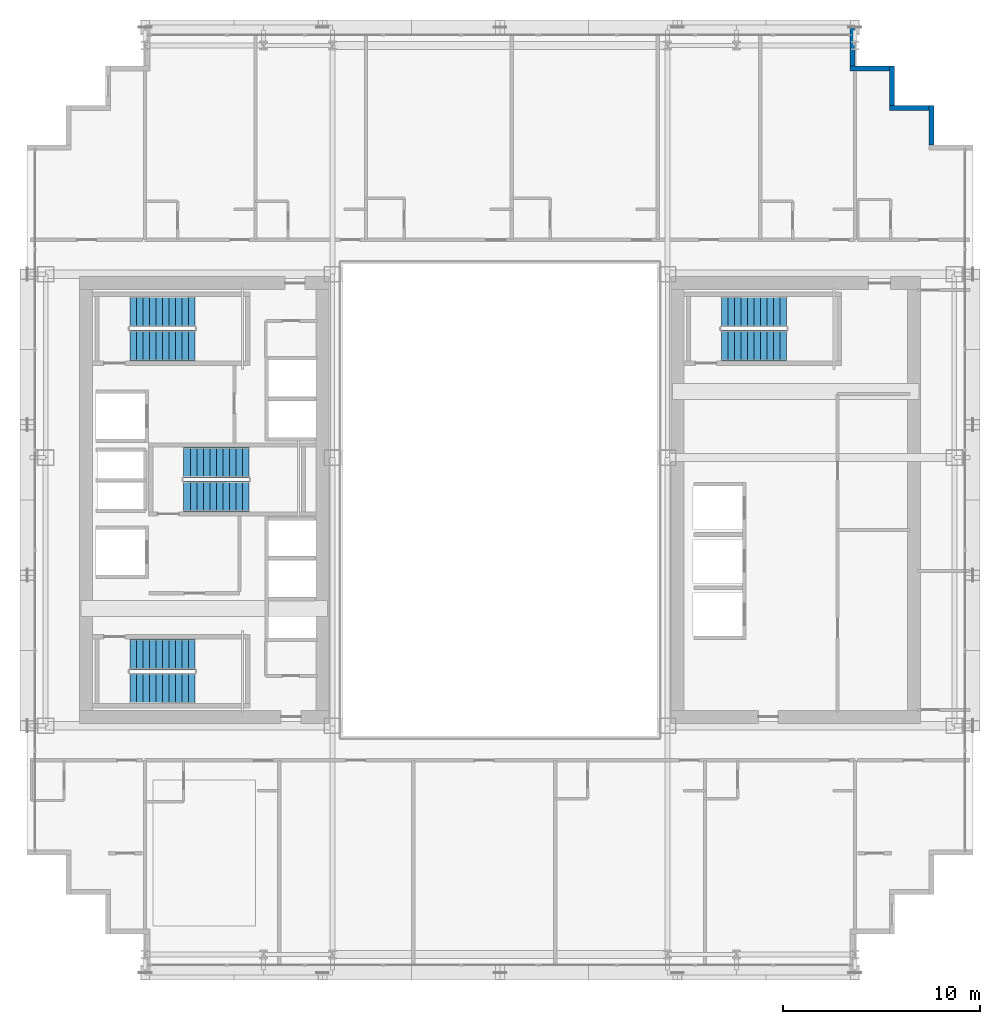
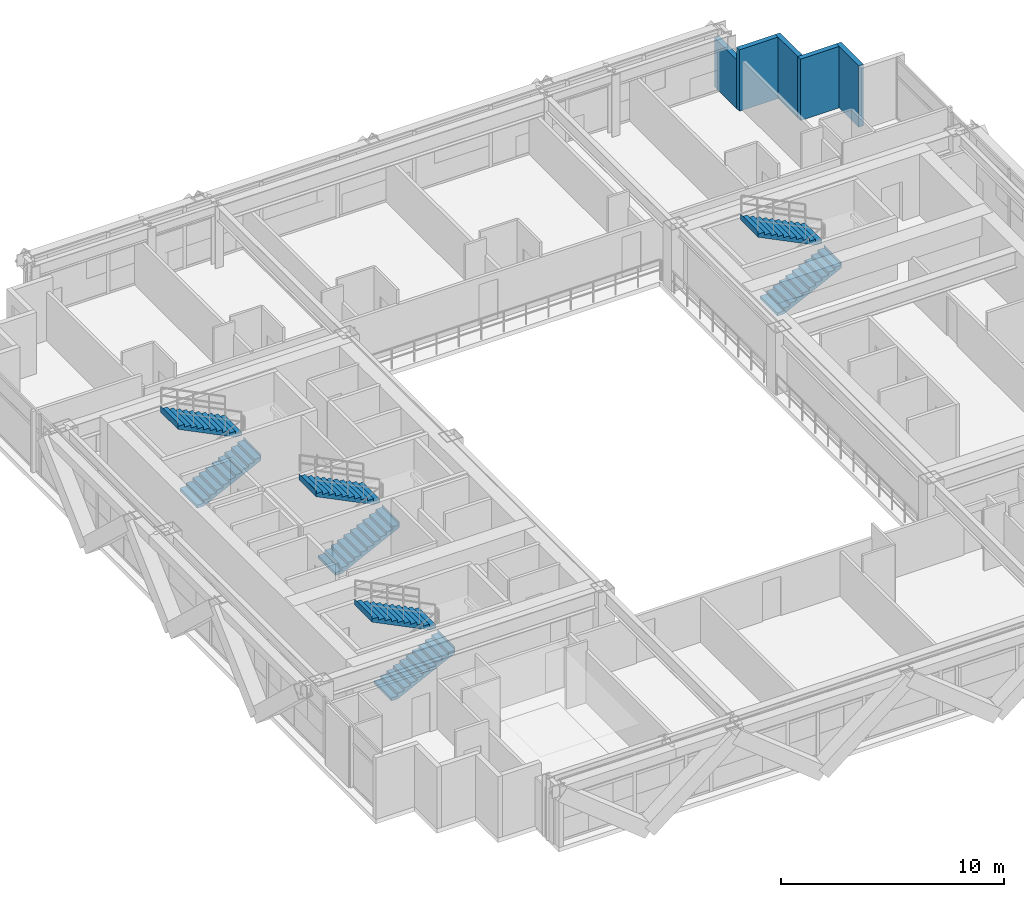
# One storey, part 31 of 35: 8 stair flights, 5 walls, 4 elements without a shape of their own.
"""IFC4 building model written with IfcOpenShell, lengths in metres."""

from ifc_helpers import new_model, si_unit, direction, frame, frame_2d, origin, place, context, subcontext, project, spatial, polyline, rectangle, outline, extrude, source, transform, mapped, material, layer, layer_set, type_object, element, aggregate, save


model = new_model("IFC4")

# Units and contexts
model_context = context("Model", 3, precision=1e-05, world=origin(), true_north=direction((0.0, 1.0)))
body_context = subcontext(model_context, "Body", "Model", "MODEL_VIEW")
ifc_project = project(units=[si_unit("LENGTHUNIT", "METRE"), si_unit("AREAUNIT", "SQUARE_METRE"), si_unit("VOLUMEUNIT", "CUBIC_METRE"), si_unit("PLANEANGLEUNIT", "RADIAN"), si_unit("MASSUNIT", "GRAM", prefix="KILO")], contexts=[model_context])

# Site, building, storey
site_placement = place(None, origin())
site = spatial("IfcSite", under=ifc_project, at=site_placement, CompositionType="ELEMENT")
building_placement = place(site_placement, origin())
building = spatial("IfcBuilding", under=site, at=building_placement, Name="Ocotamira Hotel", CompositionType="ELEMENT")
storey_placement = place(building_placement, frame((0.0, 0.0, 144.0)))
storey = spatial("IfcBuildingStorey", under=building, at=storey_placement, Name="L36", CompositionType="ELEMENT", Elevation=144.0)

# Walls
ifc_material_1 = material(Name="Precast concrete C45/55", Category="concrete")
ifc_layer = layer(ifc_material_1, 0.25)
ifc_layer_set = layer_set([ifc_layer], Name="Precast concrete C45/55")
wall_type = type_object("IfcWallType", Name="WL-EXT-SER-250", PredefinedType="SOLIDWALL", material=ifc_layer_set)
for number, where, z_axis, x_axis, name in (
    (1, (53.875, 44.0, 0.0), (0.0, 0.0, 1.0), (0.0, 1.0, 0.0), "L36 Serrated Corner Wall 08"),
    (2, (53.75, 45.875, 0.0), (0.0, 0.0, 1.0), (-1.0, 0.0, 0.0), "L36 Serrated Corner Wall 09"),
    (3, (51.875, 46.0, 0.0), (0.0, 0.0, 1.0), (0.0, 1.0, 0.0), "L36 Serrated Corner Wall 10"),
    (4, (51.75, 47.875, 0.0), (0.0, 0.0, 1.0), (-1.0, 0.0, 0.0), "L36 Serrated Corner Wall 11"),
):
    element("IfcWall", number, at=place(storey_placement, frame(where, z_axis=z_axis, x_axis=x_axis)), inside=storey, type_object=wall_type, Name=name, PredefinedType="SOLIDWALL", context=body_context, shape_type="SweptSolid", body=[
        extrude(rectangle(XDim=2.0, YDim=0.25, at=frame_2d((1.0, 0.0))), origin(), (0.0, 0.0, 1.0), 3.360107421875),
    ])
wall_placement = place(storey_placement, frame((49.875, 48.0, 0.0), z_axis=(0.0, 0.0, 1.0), x_axis=(0.0, 1.0, 0.0)))
element("IfcWall", 5, at=wall_placement, inside=storey, type_object=wall_type, Name="L36 Serrated Corner Wall 12", PredefinedType="SOLIDWALL", context=body_context, shape_type="SweptSolid", body=[
    extrude(rectangle(XDim=2.0, YDim=0.25, at=frame_2d((1.0, 0.0))), origin(), (0.0, 0.0, 1.0), 2.6669921875),
])

# Stair, stair flights
ifc_material_2 = material(Name="Concrete C40/50", Category="concrete")
stair_type = type_object("IfcStairType", Name="ST-CORE-1560", PredefinedType="HALF_TURN_STAIR", material=ifc_material_2)
stair_1_placement = place(storey_placement, origin())
stair_1 = element("IfcStair", 6, at=stair_1_placement, inside=storey, type_object=stair_type, Name="L36 Exit Stair ST-1", PredefinedType="HALF_TURN_STAIR")
stair_flight_type = type_object("IfcStairFlightType", Name="STF-CORE-1560", PredefinedType="STRAIGHT", material=ifc_material_2)
shared_shape = source(origin(), body_context, "Body", "SweptSolid", [
    extrude(outline(polyline([(-0.00390625, 0.0), (-0.00390625, 0.16357421875), (0.330078125, 0.16357421875), (0.330078125, 0.327392578125), (0.659912109375, 0.327392578125), (0.659912109375, 0.490966796875), (0.989990234375, 0.490966796875), (0.989990234375, 0.654541015625), (1.320068359375, 0.654541015625), (1.320068359375, 0.818115234375), (1.64990234375, 0.818115234375), (1.64990234375, 0.98193359375), (1.97998046875, 0.98193359375), (1.97998046875, 1.1455078125), (2.31005859375, 1.1455078125), (2.31005859375, 1.30908203125), (2.639892578125, 1.30908203125), (2.639892578125, 1.47265625), (2.969970703125, 1.47265625), (2.969970703125, 1.636474609375), (3.300048828125, 1.636474609375), (3.300048828125, 1.800048828125), (3.303955078125, 1.800048828125), (3.303955078125, 1.468994140625), (0.33740234375, 0.0), (-0.00390625, 0.0)])), frame((0.0, 0.780029296875, 0.0), z_axis=(0.0, -1.0, 0.0), x_axis=(1.0, 0.0, 0.0)), (0.0, 0.0, 1.0), 1.56005859375),
])
stair_flight_1_placement = place(storey_placement, frame((13.22998046875, 16.449951171875, 0.0), z_axis=(0.0, 0.0, 1.0), x_axis=(1.0, 0.0, 0.0)))
stair_flight_1 = element("IfcStairFlight", 7, at=stair_flight_1_placement, type_object=stair_flight_type, Name="ST-1 flight 1", NumberOfRisers=11, NumberOfTreads=10, PredefinedType="STRAIGHT", RiserHeight=0.163636364, TreadLength=0.33, context=body_context, shape_type="MappedRepresentation", body=[
    mapped(shared_shape, transform((0.0, 0.0, 0.0), scale=1.0)),
])
stair_flight_2_placement = place(storey_placement, frame((16.530029296875, 18.169921875, 1.800048828125), z_axis=(0.0, 0.0, 1.0), x_axis=(-1.0, 0.0, 0.0)))
stair_flight_2 = element("IfcStairFlight", 8, at=stair_flight_2_placement, type_object=stair_flight_type, Name="ST-1 flight 2", NumberOfRisers=11, NumberOfTreads=10, PredefinedType="STRAIGHT", RiserHeight=0.163636364, TreadLength=0.33, context=body_context, shape_type="MappedRepresentation", body=[
    mapped(shared_shape, transform((0.0, 0.0, 0.0), scale=1.0)),
])
aggregate(stair_1, [stair_flight_1, stair_flight_2])

stair_2_placement = place(storey_placement, origin())
stair_2 = element("IfcStair", 9, at=stair_2_placement, inside=storey, type_object=stair_type, Name="L36 Exit Stair ST-2", PredefinedType="HALF_TURN_STAIR")
stair_flight_3_placement = place(storey_placement, frame((13.22998046875, 33.830078125, 0.0), z_axis=(0.0, 0.0, 1.0), x_axis=(1.0, 0.0, 0.0)))
stair_flight_3 = element("IfcStairFlight", 10, at=stair_flight_3_placement, type_object=stair_flight_type, Name="ST-2 flight 1", NumberOfRisers=11, NumberOfTreads=10, PredefinedType="STRAIGHT", RiserHeight=0.163636364, TreadLength=0.33, context=body_context, shape_type="MappedRepresentation", body=[
    mapped(shared_shape, transform((0.0, 0.0, 0.0), scale=1.0)),
])
stair_flight_4_placement = place(storey_placement, frame((16.530029296875, 35.550048828125, 1.800048828125), z_axis=(0.0, 0.0, 1.0), x_axis=(-1.0, 0.0, 0.0)))
stair_flight_4 = element("IfcStairFlight", 11, at=stair_flight_4_placement, type_object=stair_flight_type, Name="ST-2 flight 2", NumberOfRisers=11, NumberOfTreads=10, PredefinedType="STRAIGHT", RiserHeight=0.163636364, TreadLength=0.33, context=body_context, shape_type="MappedRepresentation", body=[
    mapped(shared_shape, transform((0.0, 0.0, 0.0), scale=1.0)),
])
aggregate(stair_2, [stair_flight_3, stair_flight_4])

stair_3_placement = place(storey_placement, origin())
stair_3 = element("IfcStair", 12, at=stair_3_placement, inside=storey, type_object=stair_type, Name="L36 Exit Stair ST-3", PredefinedType="HALF_TURN_STAIR")
stair_flight_5_placement = place(storey_placement, frame((15.9599609375, 26.179931640625, 0.0), z_axis=(0.0, 0.0, 1.0), x_axis=(1.0, 0.0, 0.0)))
stair_flight_5 = element("IfcStairFlight", 13, at=stair_flight_5_placement, type_object=stair_flight_type, Name="ST-3 flight 1", NumberOfRisers=11, NumberOfTreads=10, PredefinedType="STRAIGHT", RiserHeight=0.163636364, TreadLength=0.33, context=body_context, shape_type="MappedRepresentation", body=[
    mapped(shared_shape, transform((0.0, 0.0, 0.0), scale=1.0)),
])
stair_flight_6_placement = place(storey_placement, frame((19.260009765625, 27.89990234375, 1.800048828125), z_axis=(0.0, 0.0, 1.0), x_axis=(-1.0, 0.0, 0.0)))
stair_flight_6 = element("IfcStairFlight", 14, at=stair_flight_6_placement, type_object=stair_flight_type, Name="ST-3 flight 2", NumberOfRisers=11, NumberOfTreads=10, PredefinedType="STRAIGHT", RiserHeight=0.163636364, TreadLength=0.33, context=body_context, shape_type="MappedRepresentation", body=[
    mapped(shared_shape, transform((0.0, 0.0, 0.0), scale=1.0)),
])
aggregate(stair_3, [stair_flight_5, stair_flight_6])

stair_4_placement = place(storey_placement, origin())
stair_4 = element("IfcStair", 15, at=stair_4_placement, inside=storey, type_object=stair_type, Name="L36 Exit Stair ST-4", PredefinedType="HALF_TURN_STAIR")
stair_flight_7_placement = place(storey_placement, frame((43.22998046875, 33.830078125, 0.0), z_axis=(0.0, 0.0, 1.0), x_axis=(1.0, 0.0, 0.0)))
stair_flight_7 = element("IfcStairFlight", 16, at=stair_flight_7_placement, type_object=stair_flight_type, Name="ST-4 flight 1", NumberOfRisers=11, NumberOfTreads=10, PredefinedType="STRAIGHT", RiserHeight=0.163636364, TreadLength=0.33, context=body_context, shape_type="MappedRepresentation", body=[
    mapped(shared_shape, transform((0.0, 0.0, 0.0), scale=1.0)),
])
stair_flight_8_placement = place(storey_placement, frame((46.530029296875, 35.550048828125, 1.800048828125), z_axis=(0.0, 0.0, 1.0), x_axis=(-1.0, 0.0, 0.0)))
stair_flight_8 = element("IfcStairFlight", 17, at=stair_flight_8_placement, type_object=stair_flight_type, Name="ST-4 flight 2", NumberOfRisers=11, NumberOfTreads=10, PredefinedType="STRAIGHT", RiserHeight=0.163636364, TreadLength=0.33, context=body_context, shape_type="MappedRepresentation", body=[
    mapped(shared_shape, transform((0.0, 0.0, 0.0), scale=1.0)),
])
aggregate(stair_4, [stair_flight_7, stair_flight_8])

save(model, "model.ifc")
